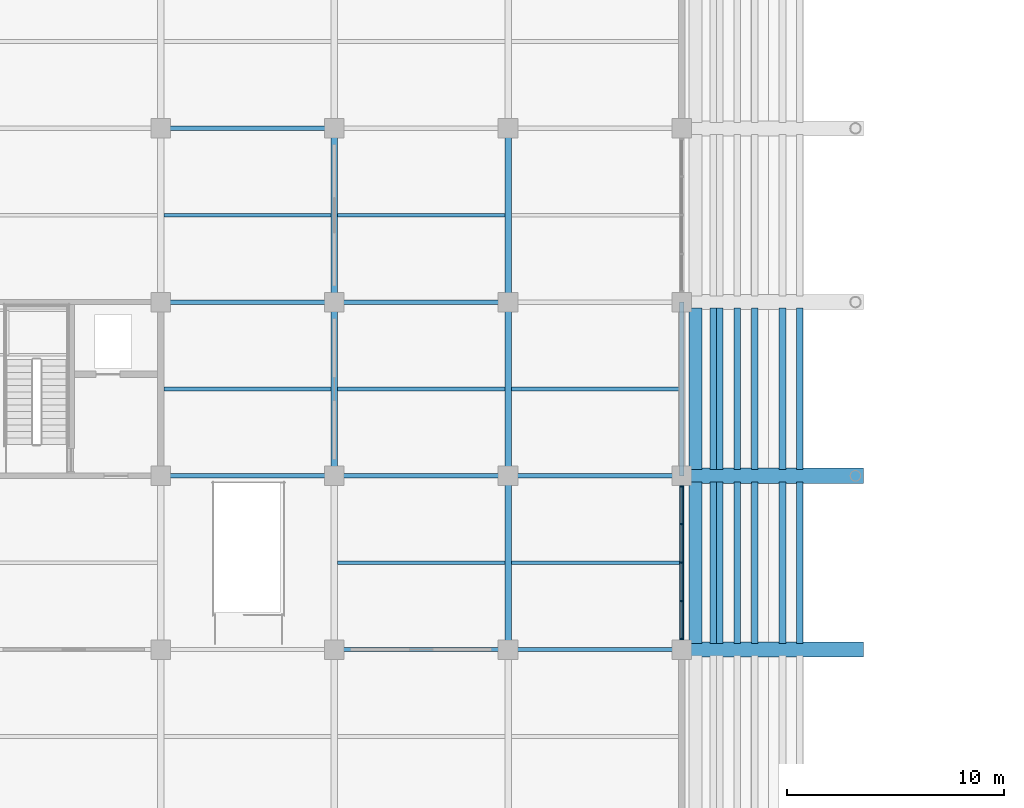
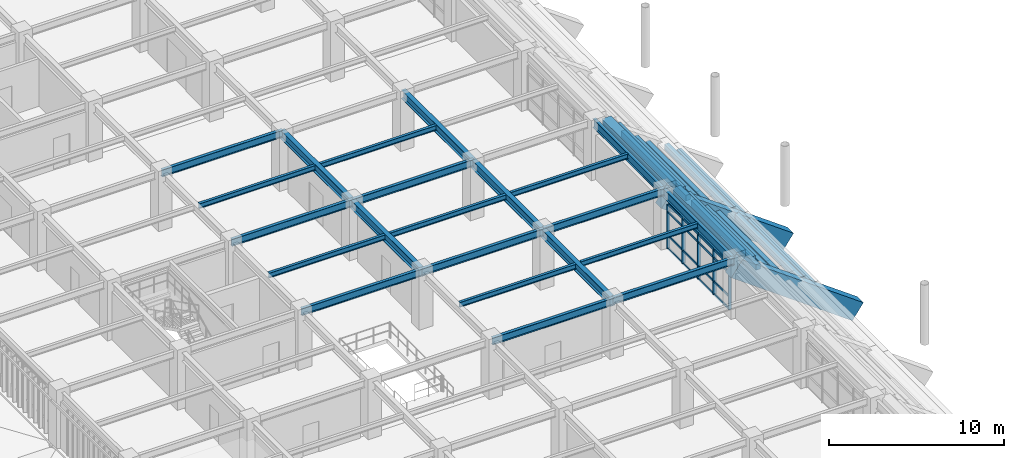
# One storey, part 31 of 118: 38 beams, 21 members, 1 element without a shape of its own.
"""IFC4 building model written with IfcOpenShell, lengths in metres."""

from ifc_helpers import new_model, si_unit, direction, frame, origin, origin_2d, place, context, subcontext, project, spatial, rectangle, i_section, extrude, material, layer, layer_set, material_profile, profile_set, type_object, element, aggregate, save


model = new_model("IFC4")

# Units and contexts
model_context = context("Model", 3, precision=1e-05, world=origin(), true_north=direction((0.0, 1.0)))
body_context = subcontext(model_context, "Body", "Model", "MODEL_VIEW")
ifc_project = project(units=[si_unit("LENGTHUNIT", "METRE"), si_unit("AREAUNIT", "SQUARE_METRE"), si_unit("VOLUMEUNIT", "CUBIC_METRE"), si_unit("PLANEANGLEUNIT", "RADIAN"), si_unit("MASSUNIT", "GRAM", prefix="KILO")], contexts=[model_context])

# Site, building, storey
site_placement = place(None, origin())
site = spatial("IfcSite", under=ifc_project, at=site_placement, CompositionType="ELEMENT")
building_placement = place(site_placement, origin())
building = spatial("IfcBuilding", under=site, at=building_placement, Name="Haebicheon Civic Stadium", CompositionType="ELEMENT")
storey_placement = place(building_placement, frame((0.0, 0.0, 14.39990234375)))
storey = spatial("IfcBuildingStorey", under=building, at=storey_placement, Name="L04", CompositionType="ELEMENT", Elevation=14.39990234375)

# Beams
ifc_material_1 = material(Name="Precast concrete C40/50", Category="concrete")
ifc_material_profile_1 = material_profile(ifc_material_1, rectangle(XDim=0.300048828125, YDim=0.39990234375, at=origin_2d()), Name="PC-LN-300x400")
ifc_profile_set_1 = profile_set([ifc_material_profile_1], Name="Precast concrete C40/50")
beam_type_1 = type_object("IfcBeamType", Name="BM-LN-300x400", PredefinedType="LINTEL", material=ifc_profile_set_1)
for number, where, z_axis, x_axis, name in (
    (1, (69.43994140625, 96.280029296875, -0.10693359375), (0.0, 1.0, 0.0), (-1.0, 0.0, 0.0), "TIER-W-U precast step carrier beam 7.4"),
    (2, (68.639892578125, 96.280029296875, 0.5380859375), (0.0, 1.0, 0.0), (-1.0, 0.0, 0.0), "TIER-W-U precast step carrier beam 7.5"),
    (3, (67.360107421875, 96.280029296875, 1.18212890625), (0.0, 1.0, 0.0), (-1.0, 0.0, 0.0), "TIER-W-U precast step carrier beam 7.6"),
    (4, (66.56005859375, 96.280029296875, 1.8271484375), (0.0, 1.0, 0.0), (-1.0, 0.0, 0.0), "TIER-W-U precast step carrier beam 7.7"),
    (5, (65.760009765625, 96.280029296875, 2.47119140625), (0.0, 1.0, 0.0), (-1.0, 0.0, 0.0), "TIER-W-U precast step carrier beam 7.8"),
    (6, (65.43994140625, 96.280029296875, 3.1162109375), (0.0, 1.0, 0.0), (-1.0, 0.0, 0.0), "TIER-W-U precast step carrier beam 7.9"),
    (7, (69.43994140625, 104.280029296875, -0.10693359375), (0.0, 1.0, 0.0), (-1.0, 0.0, 0.0), "TIER-W-U precast step carrier beam 8.4"),
    (8, (68.639892578125, 104.280029296875, 0.5380859375), (0.0, 1.0, 0.0), (-1.0, 0.0, 0.0), "TIER-W-U precast step carrier beam 8.5"),
    (9, (67.360107421875, 104.280029296875, 1.18212890625), (0.0, 1.0, 0.0), (-1.0, 0.0, 0.0), "TIER-W-U precast step carrier beam 8.6"),
    (10, (66.56005859375, 104.280029296875, 1.8271484375), (0.0, 1.0, 0.0), (-1.0, 0.0, 0.0), "TIER-W-U precast step carrier beam 8.7"),
    (11, (65.760009765625, 104.280029296875, 2.47119140625), (0.0, 1.0, 0.0), (-1.0, 0.0, 0.0), "TIER-W-U precast step carrier beam 8.8"),
    (12, (65.43994140625, 104.280029296875, 3.1162109375), (0.0, 1.0, 0.0), (-1.0, 0.0, 0.0), "TIER-W-U precast step carrier beam 8.9"),
):
    element("IfcBeam", number, at=place(storey_placement, frame(where, z_axis=z_axis, x_axis=x_axis)), inside=storey, type_object=beam_type_1, material=ifc_profile_set_1, Name=name, PredefinedType="LINTEL", context=body_context, shape_type="SweptSolid", body=[
        extrude(rectangle(XDim=0.300048828125, YDim=0.39990234375, at=origin_2d()), origin(), (0.0, 0.0, 1.0), 7.43994140625),
    ])
ifc_material_2 = material(Name="Steel SM355 (S355)", Category="steel")
ifc_material_profile_2 = material_profile(ifc_material_2, i_section(OverallWidth=0.199951171875, OverallDepth=0.5, WebThickness=0.010009765625, FlangeThickness=0.01611328125, at=origin_2d()), Name="H-500x200x10x16")
ifc_profile_set_2 = profile_set([ifc_material_profile_2], Name="Steel SM355 (S355)")
beam_type_2 = type_object("IfcBeamType", Name="BM-ST-H500", PredefinedType="BEAM", material=ifc_profile_set_2)
for number, where, z_axis, x_axis, name in (
    (13, (40.0, 104.0, 3.690185546875), (1.0, 0.0, 0.0), (0.0, 1.0, 0.0), "L04 beam P/6-7"),
    (14, (40.0, 112.0, 3.690185546875), (1.0, 0.0, 0.0), (0.0, 1.0, 0.0), "L04 beam Q/6-7"),
    (15, (40.0, 120.0, 3.690185546875), (1.0, 0.0, 0.0), (0.0, 1.0, 0.0), "L04 beam R/6-7"),
    (16, (48.0, 96.0, 3.690185546875), (1.0, 0.0, 0.0), (0.0, 1.0, 0.0), "L04 beam N/7-8"),
    (17, (48.0, 104.0, 3.690185546875), (1.0, 0.0, 0.0), (0.0, 1.0, 0.0), "L04 beam P/7-8"),
    (18, (48.0, 112.0, 3.690185546875), (1.0, 0.0, 0.0), (0.0, 1.0, 0.0), "L04 beam Q/7-8"),
    (19, (56.0, 96.0, 3.72998046875), (1.0, 0.0, 0.0), (0.0, 1.0, 0.0), "L04 beam N/8-9"),
    (20, (56.0, 104.0, 3.72998046875), (1.0, 0.0, 0.0), (0.0, 1.0, 0.0), "L04 beam P/8-9"),
):
    element("IfcBeam", number, at=place(storey_placement, frame(where, z_axis=z_axis, x_axis=x_axis)), inside=storey, type_object=beam_type_2, material=ifc_profile_set_2, Name=name, PredefinedType="BEAM", context=body_context, shape_type="SweptSolid", body=[
        extrude(i_section(OverallWidth=0.199951171875, OverallDepth=0.5, WebThickness=0.010009765625, FlangeThickness=0.01611328125, at=origin_2d()), origin(), (0.0, 0.0, 1.0), 8.0),
    ])
ifc_material_3 = material(Name="Steel SM355 (S355)", Category="steel")
ifc_material_profile_3 = material_profile(ifc_material_3, i_section(OverallWidth=0.300048828125, OverallDepth=0.60009765625, WebThickness=0.011962890625, FlangeThickness=0.02001953125, at=origin_2d()), Name="H-600x300x12x20")
ifc_profile_set_3 = profile_set([ifc_material_profile_3], Name="Steel SM355 (S355)")
beam_type_3 = type_object("IfcBeamType", Name="BM-ST-H600A", PredefinedType="BEAM", material=ifc_profile_set_3)
for number, where, z_axis, x_axis, name in (
    (21, (48.0, 104.0, 3.64013671875), (0.0, 1.0, 0.0), (-1.0, 0.0, 0.0), "L04 girder 7/P-Q"),
    (22, (48.0, 112.0, 3.64013671875), (0.0, 1.0, 0.0), (-1.0, 0.0, 0.0), "L04 girder 7/Q-R"),
    (23, (56.0, 96.0, 3.64013671875), (0.0, 1.0, 0.0), (-1.0, 0.0, 0.0), "L04 girder 8/N-P"),
    (24, (56.0, 104.0, 3.64013671875), (0.0, 1.0, 0.0), (-1.0, 0.0, 0.0), "L04 girder 8/P-Q"),
    (25, (56.0, 112.0, 3.64013671875), (0.0, 1.0, 0.0), (-1.0, 0.0, 0.0), "L04 girder 8/Q-R"),
):
    element("IfcBeam", number, at=place(storey_placement, frame(where, z_axis=z_axis, x_axis=x_axis)), inside=storey, type_object=beam_type_3, material=ifc_profile_set_3, Name=name, PredefinedType="BEAM", context=body_context, shape_type="SweptSolid", body=[
        extrude(i_section(OverallWidth=0.300048828125, OverallDepth=0.60009765625, WebThickness=0.011962890625, FlangeThickness=0.02001953125, at=origin_2d()), origin(), (0.0, 0.0, 1.0), 8.0),
    ])
ifc_material_4 = material(Name="Precast concrete C40/50", Category="concrete")
ifc_material_profile_4 = material_profile(ifc_material_4, rectangle(XDim=0.60009765625, YDim=0.85009765625, at=origin_2d()), Name="PC-TB-600x850")
ifc_profile_set_4 = profile_set([ifc_material_profile_4], Name="Precast concrete C40/50")
beam_type_4 = type_object("IfcBeamType", Name="BM-TB-600x850", PredefinedType="T_BEAM", material=ifc_profile_set_4)
for number, where, z_axis, x_axis, name in (
    (26, (64.639892578125, 96.280029296875, 3.53515625), (0.0, 1.0, 0.0), (-1.0, 0.0, 0.0), "TIER-W-U upper tier bench carrier beam 7"),
    (27, (64.639892578125, 104.280029296875, 3.53515625), (0.0, 1.0, 0.0), (-1.0, 0.0, 0.0), "TIER-W-U upper tier bench carrier beam 8"),
):
    element("IfcBeam", number, at=place(storey_placement, frame(where, z_axis=z_axis, x_axis=x_axis)), inside=storey, type_object=beam_type_4, material=ifc_profile_set_4, Name=name, PredefinedType="T_BEAM", context=body_context, shape_type="SweptSolid", body=[
        extrude(rectangle(XDim=0.60009765625, YDim=0.85009765625, at=origin_2d()), origin(), (0.0, 0.0, 1.0), 7.43994140625),
    ])

# Curtain wall, members
ifc_material_5 = material(Name="Anodised aluminium and laminated glass", Category="aluminium")
ifc_layer = layer(ifc_material_5, 0.179931640625, Name="Anodised aluminium and laminated glass")
ifc_layer_set = layer_set([ifc_layer], Name="Anodised aluminium and laminated glass")
curtain_wall_type = type_object("IfcCurtainWallType", Name="CW-7100x3100", PredefinedType="NOTDEFINED", material=ifc_layer_set)
curtain_wall_placement = place(storey_placement, origin())
curtain_wall = element("IfcCurtainWall", 28, at=curtain_wall_placement, inside=storey, type_object=curtain_wall_type, material=ifc_layer_set, Name="L04 unitised curtain wall 120", PredefinedType="NOTDEFINED")
ifc_material_6 = material(Name="Anodised aluminium 6063-T6", Category="aluminium")
ifc_material_profile_5 = material_profile(ifc_material_6, rectangle(XDim=0.070068359375, YDim=0.199951171875, at=origin_2d()), Name="ALU-MULL-70x200")
ifc_profile_set_5 = profile_set([ifc_material_profile_5], Name="Anodised aluminium 6063-T6")
member_type_1 = type_object("IfcMemberType", Name="CWM-200x70", PredefinedType="MULLION", material=ifc_profile_set_5)
member_1_placement = place(storey_placement, frame((64.0, 96.485107421875, 0.0), z_axis=(0.0, 0.0, 1.0), x_axis=(0.0, 1.0, 0.0)))
member_1 = element("IfcMember", 29, at=member_1_placement, type_object=member_type_1, material=ifc_profile_set_5, Name="CW-L04-120 vertical mullion 1", PredefinedType="MULLION", context=body_context, shape_type="SweptSolid", body=[
    extrude(rectangle(XDim=0.070068359375, YDim=0.199951171875, at=origin_2d()), origin(), (0.0, 0.0, 1.0), 3.10009765625),
])
member_2_placement = place(storey_placement, frame((64.0, 98.22509765625, 0.0), z_axis=(0.0, 0.0, 1.0), x_axis=(0.0, 1.0, 0.0)))
member_2 = element("IfcMember", 30, at=member_2_placement, type_object=member_type_1, material=ifc_profile_set_5, Name="CW-L04-120 vertical mullion 2", PredefinedType="MULLION", context=body_context, shape_type="SweptSolid", body=[
    extrude(rectangle(XDim=0.070068359375, YDim=0.199951171875, at=origin_2d()), origin(), (0.0, 0.0, 1.0), 3.10009765625),
])
member_3_placement = place(storey_placement, frame((64.0, 100.0, 0.0), z_axis=(0.0, 0.0, 1.0), x_axis=(0.0, 1.0, 0.0)))
member_3 = element("IfcMember", 31, at=member_3_placement, type_object=member_type_1, material=ifc_profile_set_5, Name="CW-L04-120 vertical mullion 3", PredefinedType="MULLION", context=body_context, shape_type="SweptSolid", body=[
    extrude(rectangle(XDim=0.070068359375, YDim=0.199951171875, at=origin_2d()), origin(), (0.0, 0.0, 1.0), 3.10009765625),
])
member_4_placement = place(storey_placement, frame((64.0, 101.77490234375, 0.0), z_axis=(0.0, 0.0, 1.0), x_axis=(0.0, 1.0, 0.0)))
member_4 = element("IfcMember", 32, at=member_4_placement, type_object=member_type_1, material=ifc_profile_set_5, Name="CW-L04-120 vertical mullion 4", PredefinedType="MULLION", context=body_context, shape_type="SweptSolid", body=[
    extrude(rectangle(XDim=0.070068359375, YDim=0.199951171875, at=origin_2d()), origin(), (0.0, 0.0, 1.0), 3.10009765625),
])
member_5_placement = place(storey_placement, frame((64.0, 103.514892578125, 0.0), z_axis=(0.0, 0.0, 1.0), x_axis=(0.0, 1.0, 0.0)))
member_5 = element("IfcMember", 33, at=member_5_placement, type_object=member_type_1, material=ifc_profile_set_5, Name="CW-L04-120 vertical mullion 5", PredefinedType="MULLION", context=body_context, shape_type="SweptSolid", body=[
    extrude(rectangle(XDim=0.070068359375, YDim=0.199951171875, at=origin_2d()), origin(), (0.0, 0.0, 1.0), 3.10009765625),
])
ifc_material_7 = material(Name="Anodised aluminium 6063-T6", Category="aluminium")
ifc_material_profile_6 = material_profile(ifc_material_7, rectangle(XDim=0.070068359375, YDim=0.14990234375, at=origin_2d()), Name="ALU-TRAN-70x150")
ifc_profile_set_6 = profile_set([ifc_material_profile_6], Name="Anodised aluminium 6063-T6")
member_type_2 = type_object("IfcMemberType", Name="CWT-150x70", PredefinedType="NOTDEFINED", material=ifc_profile_set_6)
member_6_placement = place(storey_placement, frame((64.0, 96.52001953125, 0.0), z_axis=(0.0, 1.0, 0.0), x_axis=(-1.0, 0.0, 0.0)))
member_6 = element("IfcMember", 34, at=member_6_placement, type_object=member_type_2, material=ifc_profile_set_6, Name="CW-L04-120 horizontal transom 1.1", ObjectType="TRANSOM", PredefinedType="USERDEFINED", context=body_context, shape_type="SweptSolid", body=[
    extrude(rectangle(XDim=0.070068359375, YDim=0.14990234375, at=origin_2d()), origin(), (0.0, 0.0, 1.0), 1.669921875),
])
member_7_placement = place(storey_placement, frame((64.0, 96.52001953125, 0.900146484375), z_axis=(0.0, 1.0, 0.0), x_axis=(-1.0, 0.0, 0.0)))
member_7 = element("IfcMember", 35, at=member_7_placement, type_object=member_type_2, material=ifc_profile_set_6, Name="CW-L04-120 horizontal transom 1.2", ObjectType="TRANSOM", PredefinedType="USERDEFINED", context=body_context, shape_type="SweptSolid", body=[
    extrude(rectangle(XDim=0.070068359375, YDim=0.14990234375, at=origin_2d()), origin(), (0.0, 0.0, 1.0), 1.669921875),
])
member_8_placement = place(storey_placement, frame((64.0, 96.52001953125, 2.550048828125), z_axis=(0.0, 1.0, 0.0), x_axis=(-1.0, 0.0, 0.0)))
member_8 = element("IfcMember", 36, at=member_8_placement, type_object=member_type_2, material=ifc_profile_set_6, Name="CW-L04-120 horizontal transom 1.3", ObjectType="TRANSOM", PredefinedType="USERDEFINED", context=body_context, shape_type="SweptSolid", body=[
    extrude(rectangle(XDim=0.070068359375, YDim=0.14990234375, at=origin_2d()), origin(), (0.0, 0.0, 1.0), 1.669921875),
])
member_9_placement = place(storey_placement, frame((64.0, 96.52001953125, 3.10009765625), z_axis=(0.0, 1.0, 0.0), x_axis=(-1.0, 0.0, 0.0)))
member_9 = element("IfcMember", 37, at=member_9_placement, type_object=member_type_2, material=ifc_profile_set_6, Name="CW-L04-120 horizontal transom 1.4", ObjectType="TRANSOM", PredefinedType="USERDEFINED", context=body_context, shape_type="SweptSolid", body=[
    extrude(rectangle(XDim=0.070068359375, YDim=0.14990234375, at=origin_2d()), origin(), (0.0, 0.0, 1.0), 1.669921875),
])
member_10_placement = place(storey_placement, frame((64.0, 98.260009765625, 0.0), z_axis=(0.0, 1.0, 0.0), x_axis=(-1.0, 0.0, 0.0)))
member_10 = element("IfcMember", 38, at=member_10_placement, type_object=member_type_2, material=ifc_profile_set_6, Name="CW-L04-120 horizontal transom 2.1", ObjectType="TRANSOM", PredefinedType="USERDEFINED", context=body_context, shape_type="SweptSolid", body=[
    extrude(rectangle(XDim=0.070068359375, YDim=0.14990234375, at=origin_2d()), origin(), (0.0, 0.0, 1.0), 1.705078125),
])
member_11_placement = place(storey_placement, frame((64.0, 98.260009765625, 0.900146484375), z_axis=(0.0, 1.0, 0.0), x_axis=(-1.0, 0.0, 0.0)))
member_11 = element("IfcMember", 39, at=member_11_placement, type_object=member_type_2, material=ifc_profile_set_6, Name="CW-L04-120 horizontal transom 2.2", ObjectType="TRANSOM", PredefinedType="USERDEFINED", context=body_context, shape_type="SweptSolid", body=[
    extrude(rectangle(XDim=0.070068359375, YDim=0.14990234375, at=origin_2d()), origin(), (0.0, 0.0, 1.0), 1.705078125),
])
member_12_placement = place(storey_placement, frame((64.0, 98.260009765625, 2.550048828125), z_axis=(0.0, 1.0, 0.0), x_axis=(-1.0, 0.0, 0.0)))
member_12 = element("IfcMember", 40, at=member_12_placement, type_object=member_type_2, material=ifc_profile_set_6, Name="CW-L04-120 horizontal transom 2.3", ObjectType="TRANSOM", PredefinedType="USERDEFINED", context=body_context, shape_type="SweptSolid", body=[
    extrude(rectangle(XDim=0.070068359375, YDim=0.14990234375, at=origin_2d()), origin(), (0.0, 0.0, 1.0), 1.705078125),
])
member_13_placement = place(storey_placement, frame((64.0, 98.260009765625, 3.10009765625), z_axis=(0.0, 1.0, 0.0), x_axis=(-1.0, 0.0, 0.0)))
member_13 = element("IfcMember", 41, at=member_13_placement, type_object=member_type_2, material=ifc_profile_set_6, Name="CW-L04-120 horizontal transom 2.4", ObjectType="TRANSOM", PredefinedType="USERDEFINED", context=body_context, shape_type="SweptSolid", body=[
    extrude(rectangle(XDim=0.070068359375, YDim=0.14990234375, at=origin_2d()), origin(), (0.0, 0.0, 1.0), 1.705078125),
])
member_14_placement = place(storey_placement, frame((64.0, 100.034912109375, 0.0), z_axis=(0.0, 1.0, 0.0), x_axis=(-1.0, 0.0, 0.0)))
member_14 = element("IfcMember", 42, at=member_14_placement, type_object=member_type_2, material=ifc_profile_set_6, Name="CW-L04-120 horizontal transom 3.1", ObjectType="TRANSOM", PredefinedType="USERDEFINED", context=body_context, shape_type="SweptSolid", body=[
    extrude(rectangle(XDim=0.070068359375, YDim=0.14990234375, at=origin_2d()), origin(), (0.0, 0.0, 1.0), 1.705078125),
])
member_15_placement = place(storey_placement, frame((64.0, 100.034912109375, 0.900146484375), z_axis=(0.0, 1.0, 0.0), x_axis=(-1.0, 0.0, 0.0)))
member_15 = element("IfcMember", 43, at=member_15_placement, type_object=member_type_2, material=ifc_profile_set_6, Name="CW-L04-120 horizontal transom 3.2", ObjectType="TRANSOM", PredefinedType="USERDEFINED", context=body_context, shape_type="SweptSolid", body=[
    extrude(rectangle(XDim=0.070068359375, YDim=0.14990234375, at=origin_2d()), origin(), (0.0, 0.0, 1.0), 1.705078125),
])
member_16_placement = place(storey_placement, frame((64.0, 100.034912109375, 2.550048828125), z_axis=(0.0, 1.0, 0.0), x_axis=(-1.0, 0.0, 0.0)))
member_16 = element("IfcMember", 44, at=member_16_placement, type_object=member_type_2, material=ifc_profile_set_6, Name="CW-L04-120 horizontal transom 3.3", ObjectType="TRANSOM", PredefinedType="USERDEFINED", context=body_context, shape_type="SweptSolid", body=[
    extrude(rectangle(XDim=0.070068359375, YDim=0.14990234375, at=origin_2d()), origin(), (0.0, 0.0, 1.0), 1.705078125),
])
member_17_placement = place(storey_placement, frame((64.0, 100.034912109375, 3.10009765625), z_axis=(0.0, 1.0, 0.0), x_axis=(-1.0, 0.0, 0.0)))
member_17 = element("IfcMember", 45, at=member_17_placement, type_object=member_type_2, material=ifc_profile_set_6, Name="CW-L04-120 horizontal transom 3.4", ObjectType="TRANSOM", PredefinedType="USERDEFINED", context=body_context, shape_type="SweptSolid", body=[
    extrude(rectangle(XDim=0.070068359375, YDim=0.14990234375, at=origin_2d()), origin(), (0.0, 0.0, 1.0), 1.705078125),
])
member_18_placement = place(storey_placement, frame((64.0, 101.81005859375, 0.0), z_axis=(0.0, 1.0, 0.0), x_axis=(-1.0, 0.0, 0.0)))
member_18 = element("IfcMember", 46, at=member_18_placement, type_object=member_type_2, material=ifc_profile_set_6, Name="CW-L04-120 horizontal transom 4.1", ObjectType="TRANSOM", PredefinedType="USERDEFINED", context=body_context, shape_type="SweptSolid", body=[
    extrude(rectangle(XDim=0.070068359375, YDim=0.14990234375, at=origin_2d()), origin(), (0.0, 0.0, 1.0), 1.669921875),
])
member_19_placement = place(storey_placement, frame((64.0, 101.81005859375, 0.900146484375), z_axis=(0.0, 1.0, 0.0), x_axis=(-1.0, 0.0, 0.0)))
member_19 = element("IfcMember", 47, at=member_19_placement, type_object=member_type_2, material=ifc_profile_set_6, Name="CW-L04-120 horizontal transom 4.2", ObjectType="TRANSOM", PredefinedType="USERDEFINED", context=body_context, shape_type="SweptSolid", body=[
    extrude(rectangle(XDim=0.070068359375, YDim=0.14990234375, at=origin_2d()), origin(), (0.0, 0.0, 1.0), 1.669921875),
])
member_20_placement = place(storey_placement, frame((64.0, 101.81005859375, 2.550048828125), z_axis=(0.0, 1.0, 0.0), x_axis=(-1.0, 0.0, 0.0)))
member_20 = element("IfcMember", 48, at=member_20_placement, type_object=member_type_2, material=ifc_profile_set_6, Name="CW-L04-120 horizontal transom 4.3", ObjectType="TRANSOM", PredefinedType="USERDEFINED", context=body_context, shape_type="SweptSolid", body=[
    extrude(rectangle(XDim=0.070068359375, YDim=0.14990234375, at=origin_2d()), origin(), (0.0, 0.0, 1.0), 1.669921875),
])
member_21_placement = place(storey_placement, frame((64.0, 101.81005859375, 3.10009765625), z_axis=(0.0, 1.0, 0.0), x_axis=(-1.0, 0.0, 0.0)))
member_21 = element("IfcMember", 49, at=member_21_placement, type_object=member_type_2, material=ifc_profile_set_6, Name="CW-L04-120 horizontal transom 4.4", ObjectType="TRANSOM", PredefinedType="USERDEFINED", context=body_context, shape_type="SweptSolid", body=[
    extrude(rectangle(XDim=0.070068359375, YDim=0.14990234375, at=origin_2d()), origin(), (0.0, 0.0, 1.0), 1.669921875),
])
aggregate(curtain_wall, [member_1, member_2, member_3, member_4, member_5, member_6, member_7, member_8, member_9, member_10, member_11, member_12, member_13, member_14, member_15, member_16, member_17, member_18, member_19, member_20, member_21])

# Beams
ifc_material_8 = material(Name="Steel SM355 (S355)", Category="steel")
ifc_material_profile_7 = material_profile(ifc_material_8, i_section(OverallWidth=0.175048828125, OverallDepth=0.35009765625, WebThickness=0.007080078125, FlangeThickness=0.010986328125, at=origin_2d()), Name="H-350x175x7x11")
ifc_profile_set_7 = profile_set([ifc_material_profile_7], Name="Steel SM355 (S355)")
beam_type_5 = type_object("IfcBeamType", Name="JST-ST-H350", PredefinedType="JOIST", material=ifc_profile_set_7)
for number, where, z_axis, x_axis, name in (
    (50, (40.14990234375, 108.0, 3.76513671875), (1.0, 0.0, 0.0), (0.0, 1.0, 0.0), "L04 secondary joist 05-13"),
    (51, (40.14990234375, 116.0, 3.76513671875), (1.0, 0.0, 0.0), (0.0, 1.0, 0.0), "L04 secondary joist 05-14"),
    (52, (48.14990234375, 100.0, 3.76513671875), (1.0, 0.0, 0.0), (0.0, 1.0, 0.0), "L04 secondary joist 06-12"),
    (53, (48.14990234375, 108.0, 3.76513671875), (1.0, 0.0, 0.0), (0.0, 1.0, 0.0), "L04 secondary joist 06-13"),
    (54, (48.14990234375, 116.0, 3.76513671875), (1.0, 0.0, 0.0), (0.0, 1.0, 0.0), "L04 secondary joist 06-14"),
):
    element("IfcBeam", number, at=place(storey_placement, frame(where, z_axis=z_axis, x_axis=x_axis)), inside=storey, type_object=beam_type_5, material=ifc_profile_set_7, Name=name, PredefinedType="JOIST", context=body_context, shape_type="SweptSolid", body=[
        extrude(i_section(OverallWidth=0.175048828125, OverallDepth=0.35009765625, WebThickness=0.007080078125, FlangeThickness=0.010986328125, at=origin_2d()), origin(), (0.0, 0.0, 1.0), 7.7001953125),
    ])
for number, where, z_axis, x_axis, name in (
    (55, (56.14990234375, 100.0, 3.80517578125), (1.0, 0.0, 0.0), (0.0, 1.0, 0.0), "L04 secondary joist 07-12"),
    (56, (56.14990234375, 108.0, 3.80517578125), (1.0, 0.0, 0.0), (0.0, 1.0, 0.0), "L04 secondary joist 07-13"),
):
    element("IfcBeam", number, at=place(storey_placement, frame(where, z_axis=z_axis, x_axis=x_axis)), inside=storey, type_object=beam_type_5, material=ifc_profile_set_7, Name=name, PredefinedType="JOIST", context=body_context, shape_type="SweptSolid", body=[
        extrude(i_section(OverallWidth=0.175048828125, OverallDepth=0.35009765625, WebThickness=0.007080078125, FlangeThickness=0.010986328125, at=origin_2d()), origin(), (0.0, 0.0, 1.0), 7.75),
    ])
ifc_material_9 = material(Name="Precast concrete C40/50", Category="concrete")
ifc_material_profile_8 = material_profile(ifc_material_9, rectangle(XDim=0.699951171875, YDim=1.25, at=origin_2d()), Name="PC-RK-700x1250")
ifc_profile_set_8 = profile_set([ifc_material_profile_8], Name="Precast concrete C40/50")
beam_type_6 = type_object("IfcBeamType", Name="RK-PC-700x1250", PredefinedType="USERDEFINED", material=ifc_profile_set_8)
for number, where, z_axis, x_axis, name in (
    (57, (72.0, 96.0, -2.46484375), (-0.809608095134, 0.0, 0.586970810428), (0.0, -1.0, 0.0), "TIER-W-U inclined precast raker beam 7"),
    (58, (72.0, 104.0, -2.46484375), (-0.809608095134, 0.0, 0.586970810428), (0.0, -1.0, 0.0), "TIER-W-U inclined precast raker beam 8"),
):
    element("IfcBeam", number, at=place(storey_placement, frame(where, z_axis=z_axis, x_axis=x_axis)), inside=storey, type_object=beam_type_6, material=ifc_profile_set_8, Name=name, ObjectType="RAKER BEAM", PredefinedType="USERDEFINED", context=body_context, shape_type="SweptSolid", body=[
        extrude(rectangle(XDim=0.699951171875, YDim=1.25, at=origin_2d()), origin(), (0.0, 0.0, 1.0), 9.88134765625),
    ])
ifc_material_10 = material(Name="Steel SM355 (S355)", Category="steel")
ifc_material_profile_9 = material_profile(ifc_material_10, i_section(OverallWidth=0.199951171875, OverallDepth=0.60009765625, WebThickness=0.010986328125, FlangeThickness=0.01708984375, at=origin_2d()), Name="H-600x200x11x17")
ifc_profile_set_9 = profile_set([ifc_material_profile_9], Name="Steel SM355 (S355)")
beam_type_7 = type_object("IfcBeamType", Name="SPD-ST-H600B", PredefinedType="SPANDREL", material=ifc_profile_set_9)
for number, where, z_axis, x_axis, name in (
    (59, (64.0, 96.0, 3.656005859375), (0.0, 1.0, 0.0), (-1.0, 0.0, 0.0), "L04 girder 9/N-P"),
    (60, (64.0, 104.0, 3.656005859375), (0.0, 1.0, 0.0), (-1.0, 0.0, 0.0), "L04 girder 9/P-Q"),
):
    element("IfcBeam", number, at=place(storey_placement, frame(where, z_axis=z_axis, x_axis=x_axis)), inside=storey, type_object=beam_type_7, material=ifc_profile_set_9, Name=name, PredefinedType="SPANDREL", context=body_context, shape_type="SweptSolid", body=[
        extrude(i_section(OverallWidth=0.199951171875, OverallDepth=0.60009765625, WebThickness=0.010986328125, FlangeThickness=0.01708984375, at=origin_2d()), origin(), (0.0, 0.0, 1.0), 8.0),
    ])

save(model, "model.ifc")
